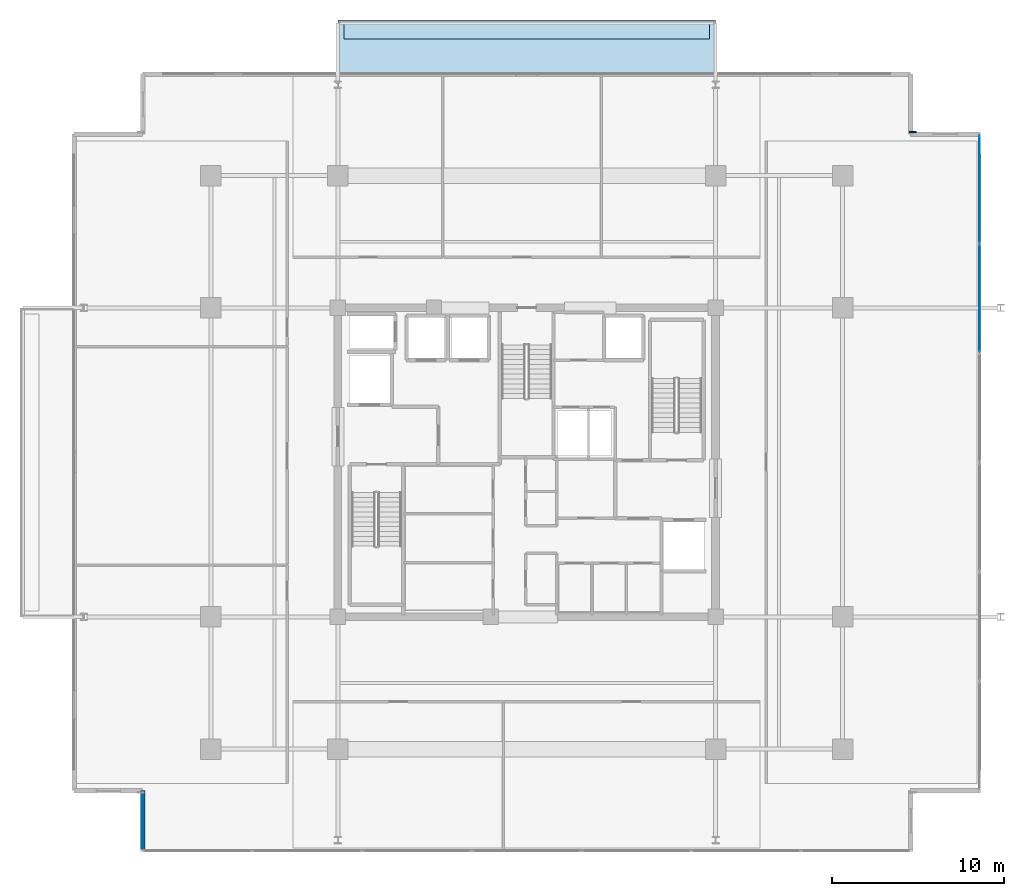
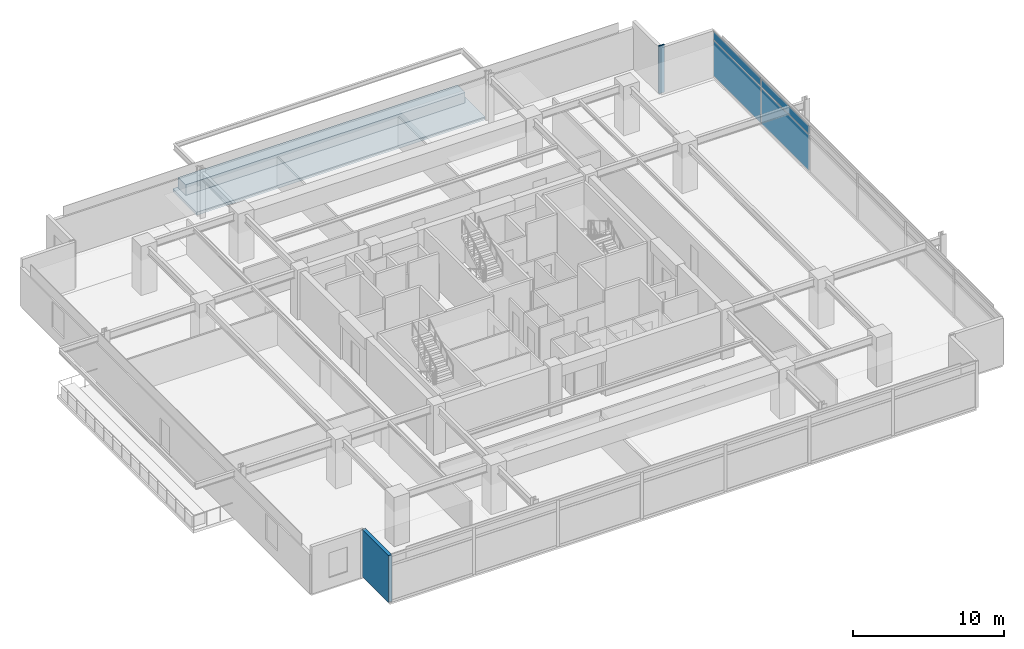
# One storey, part 14 of 21: 5 plates, 2 slabs, 1 wall, 1 element without a shape of its own.
"""IFC4 building model written with IfcOpenShell, lengths in metres."""

from ifc_helpers import new_model, si_unit, direction, frame, frame_2d, origin, origin_2d, place, context, subcontext, project, spatial, polyline, rectangle, outline, extrude, material, layer, layer_set, type_object, element, aggregate, save


model = new_model("IFC4")

# Units and contexts
model_context = context("Model", 3, precision=1e-05, world=origin(), true_north=direction((0.0, 1.0)))
body_context = subcontext(model_context, "Body", "Model", "MODEL_VIEW")
ifc_project = project(units=[si_unit("LENGTHUNIT", "METRE"), si_unit("AREAUNIT", "SQUARE_METRE"), si_unit("VOLUMEUNIT", "CUBIC_METRE"), si_unit("PLANEANGLEUNIT", "RADIAN"), si_unit("MASSUNIT", "GRAM", prefix="KILO")], contexts=[model_context])

# Site, building, storey
site_placement = place(None, origin())
site = spatial("IfcSite", under=ifc_project, at=site_placement, CompositionType="ELEMENT")
building_placement = place(site_placement, origin())
building = spatial("IfcBuilding", under=site, at=building_placement, Name="Kovane Verandah Tower", CompositionType="ELEMENT")
storey_placement = place(building_placement, frame((0.0, 0.0, 247.199951171875)))
storey = spatial("IfcBuildingStorey", under=building, at=storey_placement, Name="L57", CompositionType="ELEMENT", Elevation=247.199951171875)

# Curtain wall, plates
ifc_material_1 = material(Name="Champagne Anodised Aluminium Frame with Low-E Clear Laminated Glass", Category="aluminium")
curtain_wall_type = type_object("IfcCurtainWallType", Name="CW-SYS-05-HIGH", PredefinedType="NOTDEFINED", material=ifc_material_1)
curtain_wall_placement = place(storey_placement, origin())
curtain_wall = element("IfcCurtainWall", 1, at=curtain_wall_placement, inside=storey, type_object=curtain_wall_type, Name="L57 E Unitised Curtain Wall", PredefinedType="NOTDEFINED")
ifc_material_2 = material(Name="Pale Champagne Anodised Aluminium Insulated Spandrel", Category="aluminium")
ifc_layer_1 = layer(ifc_material_2, 0.0400390625)
ifc_layer_set_1 = layer_set([ifc_layer_1], Name="Pale Champagne Anodised Aluminium Insulated Spandrel")
plate_type_1 = type_object("IfcPlateType", Name="PL-CW-SPD-40", PredefinedType="SHEET", material=ifc_layer_set_1)
plate_1_placement = place(storey_placement, frame((66.366455078125, 37.05908203125, 3.05517578125), z_axis=(0.0, 0.0, 1.0), x_axis=(0.0, 1.0, 0.0)))
plate_1 = element("IfcPlate", 2, at=plate_1_placement, type_object=plate_type_1, Name="L57 E Unitised Curtain Wall Spandrel Panel 5", PredefinedType="SHEET", context=body_context, shape_type="SweptSolid", body=[
    extrude(rectangle(XDim=6.232666015625, YDim=0.0400390625, at=origin_2d()), origin(), (0.0, 0.0, 1.0), 0.639892578125),
])
plate_2_placement = place(storey_placement, frame((66.366455078125, 43.431884765625, 3.05517578125), z_axis=(0.0, 0.0, 1.0), x_axis=(0.0, 1.0, 0.0)))
plate_2 = element("IfcPlate", 3, at=plate_2_placement, type_object=plate_type_1, Name="L57 E Unitised Curtain Wall Spandrel Panel 6", PredefinedType="SHEET", context=body_context, shape_type="SweptSolid", body=[
    extrude(rectangle(XDim=6.232666015625, YDim=0.0400390625, at=origin_2d()), origin(), (0.0, 0.0, 1.0), 0.639892578125),
])
ifc_material_3 = material(Name="Clear Low-E Laminated Double Glazing", Category="glass")
ifc_layer_2 = layer(ifc_material_3, 0.031982421875)
ifc_layer_set_2 = layer_set([ifc_layer_2], Name="Clear Low-E Laminated Double Glazing")
plate_type_2 = type_object("IfcPlateType", Name="PL-CW-VIS-32", PredefinedType="CURTAIN_PANEL", material=ifc_layer_set_2)
plate_3_placement = place(storey_placement, frame((66.366455078125, 37.05908203125, 0.10009765625), z_axis=(0.0, 0.0, 1.0), x_axis=(0.0, 1.0, 0.0)))
plate_3 = element("IfcPlate", 4, at=plate_3_placement, type_object=plate_type_2, Name="L57 E Unitised Curtain Wall Vision Panel 5", PredefinedType="CURTAIN_PANEL", context=body_context, shape_type="SweptSolid", body=[
    extrude(rectangle(XDim=6.232666015625, YDim=0.031982421875, at=origin_2d()), origin(), (0.0, 0.0, 1.0), 2.85498046875),
])
plate_4_placement = place(storey_placement, frame((66.366455078125, 43.431884765625, 0.10009765625), z_axis=(0.0, 0.0, 1.0), x_axis=(0.0, 1.0, 0.0)))
plate_4 = element("IfcPlate", 5, at=plate_4_placement, type_object=plate_type_2, Name="L57 E Unitised Curtain Wall Vision Panel 6", PredefinedType="CURTAIN_PANEL", context=body_context, shape_type="SweptSolid", body=[
    extrude(rectangle(XDim=6.232666015625, YDim=0.031982421875, at=origin_2d()), origin(), (0.0, 0.0, 1.0), 2.85498046875),
])
aggregate(curtain_wall, [plate_3, plate_1, plate_4, plate_2])

# Plate
ifc_material_4 = material(Name="Timber-Toned Subtropical Aluminium Vertical Blade", Category="wood")
ifc_layer_3 = layer(ifc_material_4, 0.090087890625)
ifc_layer_set_3 = layer_set([ifc_layer_3], Name="Timber-Toned Subtropical Aluminium Vertical Blade")
plate_type_3 = type_object("IfcPlateType", Name="PL-FIN-90", PredefinedType="USERDEFINED", material=ifc_layer_set_3)
plate_5_placement = place(storey_placement, frame((62.486572265625, 46.73828125, -0.02001953125), z_axis=(0.0, 0.0, 1.0), x_axis=(1.0, 0.0, 0.0)))
element("IfcPlate", 6, at=plate_5_placement, inside=storey, type_object=plate_type_3, Name="L57 NE Timber-Toned Vertical Corner Fin", ObjectType="FIN", PredefinedType="USERDEFINED", context=body_context, shape_type="SweptSolid", body=[
    extrude(rectangle(XDim=0.419921875, YDim=0.090087890625, at=origin_2d()), origin(), (0.0, 0.0, 1.0), 3.844970703125),
])

# Slabs
ifc_material_5 = material(Name="Concrete C45/55", Category="concrete")
ifc_layer_4 = layer(ifc_material_5, 0.239990234375)
ifc_layer_set_4 = layer_set([ifc_layer_4], Name="Concrete C45/55")
slab_type_1 = type_object("IfcSlabType", Name="SL-BALC-240", PredefinedType="FLOOR", material=ifc_layer_set_4)
slab_1_placement = place(storey_placement, frame((0.0, 0.0, -0.239990234375)))
element("IfcSlab", 7, at=slab_1_placement, inside=storey, type_object=slab_type_1, Name="L57 N Planted Verandah Balcony Slab", PredefinedType="FLOOR", context=body_context, shape_type="SweptSolid", body=[
    extrude(outline(polyline([(29.0, 50.1181640625), (51.0, 50.1181640625), (51.0, 53.268310546875), (29.0, 53.268310546875), (29.0, 50.1181640625)])), origin(), (0.0, 0.0, 1.0), 0.239990234375),
])
ifc_material_6 = material(Name="Architectural Precast Concrete C45/55 Planter Trough", Category="concrete")
ifc_layer_5 = layer(ifc_material_6, 0.219970703125)
ifc_layer_set_5 = layer_set([ifc_layer_5], Name="Architectural Precast Concrete C45/55 Planter Trough")
slab_type_2 = type_object("IfcSlabType", Name="SL-PLANTER-220", PredefinedType="USERDEFINED", material=ifc_layer_set_5)
slab_2_placement = place(storey_placement, origin())
element("IfcSlab", 8, at=slab_2_placement, inside=storey, type_object=slab_type_2, Name="L57 N Structural Tree Planter", ObjectType="PLANTER", PredefinedType="USERDEFINED", context=body_context, shape_type="SweptSolid", body=[
    extrude(outline(polyline([(29.35009765625, 52.168212890625), (50.64990234375, 52.168212890625), (50.64990234375, 53.168212890625), (29.35009765625, 53.168212890625), (29.35009765625, 52.168212890625)])), origin(), (0.0, 0.0, 1.0), 0.85009765625),
])

# Wall
ifc_material_7 = material(Name="Concrete C45/55 Insulated Spandrel Wall", Category="concrete")
ifc_layer_6 = layer(ifc_material_7, 0.260009765625)
ifc_layer_set_6 = layer_set([ifc_layer_6], Name="Concrete C45/55 Insulated Spandrel Wall")
wall_type = type_object("IfcWallType", Name="WL-SPANDREL-260", PredefinedType="PARAPET", material=ifc_layer_set_6)
wall_placement = place(storey_placement, frame((17.633544921875, 8.3818359375, 0.0), z_axis=(0.0, 0.0, 1.0), x_axis=(0.0, -1.0, 0.0)))
element("IfcWall", 9, at=wall_placement, inside=storey, type_object=wall_type, Name="L57 SW Notch Cheek Wall 2", PredefinedType="PARAPET", context=body_context, shape_type="SweptSolid", body=[
    extrude(rectangle(XDim=3.5, YDim=0.260009765625, at=frame_2d((1.75, 0.0))), origin(), (0.0, 0.0, 1.0), 3.78515625),
])

save(model, "model.ifc")
